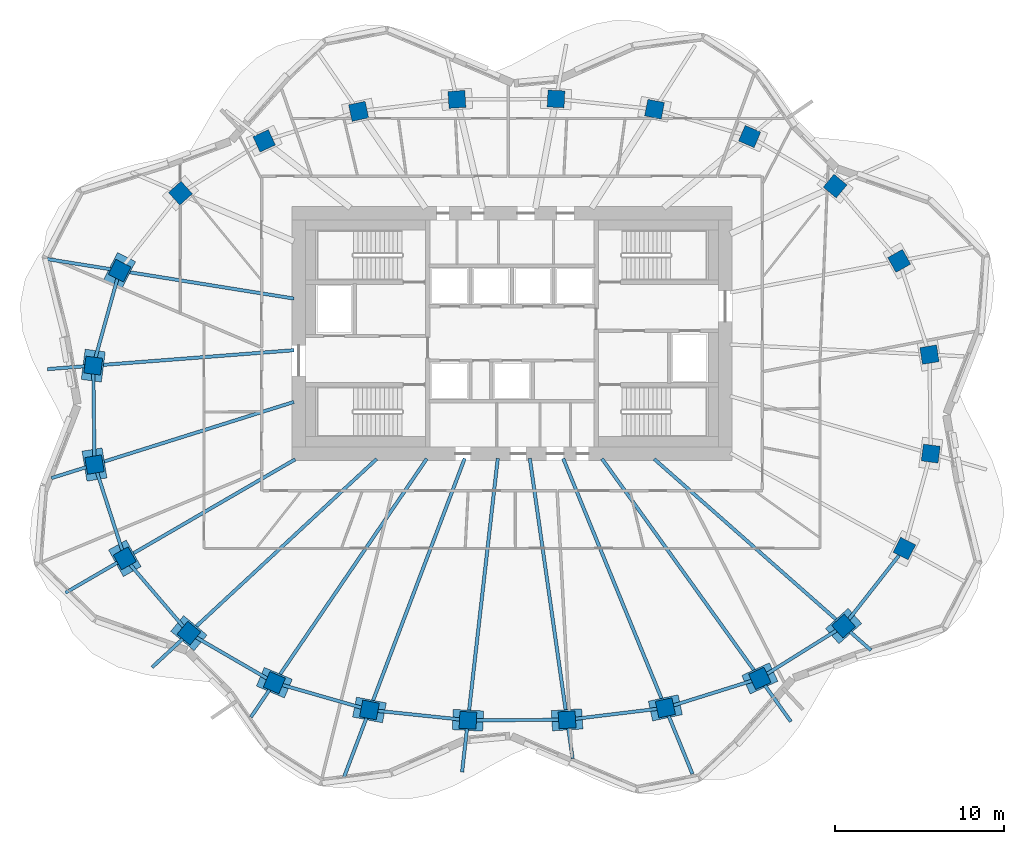
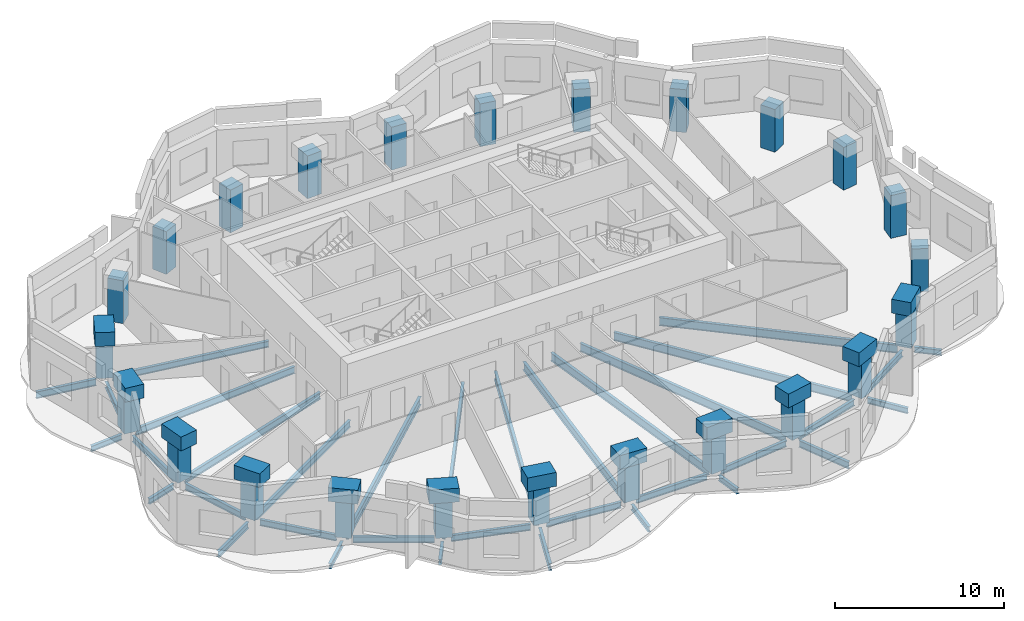
# One storey, part 1 of 11: 48 beams, 24 columns.
"""IFC4 building model written with IfcOpenShell, lengths in metres."""

from ifc_helpers import new_model, si_unit, direction, frame, origin, origin_2d, place, context, subcontext, project, spatial, rectangle, i_section, extrude, material, material_profile, profile_set, type_object, element, save


model = new_model("IFC4")

# Units and contexts
model_context = context("Model", 3, precision=1e-05, world=origin(), true_north=direction((0.0, 1.0)))
body_context = subcontext(model_context, "Body", "Model", "MODEL_VIEW")
ifc_project = project(units=[si_unit("LENGTHUNIT", "METRE"), si_unit("AREAUNIT", "SQUARE_METRE"), si_unit("VOLUMEUNIT", "CUBIC_METRE"), si_unit("PLANEANGLEUNIT", "RADIAN"), si_unit("MASSUNIT", "GRAM", prefix="KILO")], contexts=[model_context])

# Site, building, storey
site_placement = place(None, origin())
site = spatial("IfcSite", under=ifc_project, at=site_placement, CompositionType="ELEMENT")
building_placement = place(site_placement, origin())
building = spatial("IfcBuilding", under=site, at=building_placement, Name="Rubra Terraces Tower", CompositionType="ELEMENT")
storey_placement = place(building_placement, frame((0.0, 0.0, 260.39990234375)))
storey = spatial("IfcBuildingStorey", under=building, at=storey_placement, Name="L64", CompositionType="ELEMENT", Elevation=260.39990234375)

# Columns
ifc_material_1 = material(Name="Concrete C50", Category="concrete")
ifc_material_profile_1 = material_profile(ifc_material_1, rectangle(XDim=1.0, YDim=1.0, at=origin_2d()), Name="RC 1000x1000")
ifc_profile_set_1 = profile_set([ifc_material_profile_1], Name="Concrete C50")
column_type = type_object("IfcColumnType", Name="RING COLUMN RC 1000x1000 C50", PredefinedType="COLUMN", material=ifc_profile_set_1)
for number, where, z_axis, x_axis, name in (
    (1, (24.6689453125, 3.248046875, 0.0), (0.0, 0.0, 1.0), (-0.161559167715, 0.986863027642, 0.0), "column-L64-ring-01"),
    (2, (22.87890625, 8.787109375, 0.0), (0.0, 0.0, 1.0), (-0.48852601316, 0.872549330678, 0.0), "column-L64-ring-02"),
    (3, (19.092041015625, 13.208984375, 0.0), (0.0, 0.0, 1.0), (-0.76886986222, 0.63940529789, 0.0), "column-L64-ring-03"),
    (4, (14.0419921875, 16.135986328125, 0.0), (0.0, 0.0, 1.0), (-0.920167856842, 0.391524092789, 0.0), "column-L64-ring-04"),
    (5, (8.422119140625, 17.7490234375, 0.0), (0.0, 0.0, 1.0), (-0.981654668733, 0.19066754143, 0.0), "column-L64-ring-05"),
    (6, (2.60205078125, 18.35791015625, 0.0), (0.0, 0.0, 1.0), (-0.998764256028, 0.049698700995, 0.0), "column-L64-ring-06"),
    (7, (-3.25390625, 18.330078125, 0.0), (0.0, 0.0, 1.0), (-0.998031548759, -0.062713855578, 0.0), "column-L64-ring-07"),
    (8, (-9.06298828125, 17.625, 0.0), (0.0, 0.0, 1.0), (-0.977652674797, -0.210226657352, 0.0), "column-L64-ring-08"),
    (9, (-14.64306640625, 15.881103515625, 0.0), (0.0, 0.0, 1.0), (-0.908778580451, -0.417278673927, 0.0), "column-L64-ring-09"),
    (10, (-19.593017578125, 12.7900390625, 0.0), (0.0, 0.0, 1.0), (-0.744021317198, -0.668155879683, 0.0), "column-L64-ring-10"),
    (11, (-23.18505859375, 8.2099609375, 0.0), (0.0, 0.0, 1.0), (-0.451027931402, -0.892509834733, 0.0), "column-L64-ring-11"),
    (12, (-24.742919921875, 2.59912109375, 0.0), (0.0, 0.0, 1.0), (-0.128443684554, -0.991716804283, 0.0), "column-L64-ring-12"),
    (13, (-24.6689453125, -3.248046875, 0.0), (0.0, 0.0, 1.0), (0.161559167715, -0.986863027642, 0.0), "column-L64-ring-13"),
    (14, (-22.87890625, -8.787109375, 0.0), (0.0, 0.0, 1.0), (0.48852601316, -0.872549330678, 0.0), "column-L64-ring-14"),
    (15, (-19.092041015625, -13.208984375, 0.0), (0.0, 0.0, 1.0), (0.76886986222, -0.63940529789, 0.0), "column-L64-ring-15"),
    (16, (-14.0419921875, -16.135986328125, 0.0), (0.0, 0.0, 1.0), (0.920167856842, -0.391524092789, 0.0), "column-L64-ring-16"),
    (17, (-8.422119140625, -17.7490234375, 0.0), (0.0, 0.0, 1.0), (0.981654668733, -0.19066754143, 0.0), "column-L64-ring-17"),
    (18, (-2.60205078125, -18.35791015625, 0.0), (0.0, 0.0, 1.0), (0.998764256028, -0.049698700995, 0.0), "column-L64-ring-18"),
    (19, (3.25390625, -18.330078125, 0.0), (0.0, 0.0, 1.0), (0.998031548759, 0.062713855578, 0.0), "column-L64-ring-19"),
    (20, (9.06298828125, -17.625, 0.0), (0.0, 0.0, 1.0), (0.977652674797, 0.210226657352, 0.0), "column-L64-ring-20"),
    (21, (14.64306640625, -15.881103515625, 0.0), (0.0, 0.0, 1.0), (0.908778580451, 0.417278673927, 0.0), "column-L64-ring-21"),
    (22, (19.593017578125, -12.7900390625, 0.0), (0.0, 0.0, 1.0), (0.744021317198, 0.668155879683, 0.0), "column-L64-ring-22"),
    (23, (23.18505859375, -8.2099609375, 0.0), (0.0, 0.0, 1.0), (0.451027931402, 0.892509834733, 0.0), "column-L64-ring-23"),
    (24, (24.742919921875, -2.59912109375, 0.0), (0.0, 0.0, 1.0), (0.128443684554, 0.991716804283, 0.0), "column-L64-ring-24"),
):
    element("IfcColumn", number, at=place(storey_placement, frame(where, z_axis=z_axis, x_axis=x_axis)), inside=storey, type_object=column_type, Name=name, PredefinedType="COLUMN", context=body_context, shape_type="SweptSolid", body=[
        extrude(rectangle(XDim=1.0, YDim=1.0, at=origin_2d()), origin(), (0.0, 0.0, 1.0), 3.10009765625),
    ])

# Beams
ifc_material_2 = material(Name="Steel Q355B", Category="steel")
ifc_material_profile_2 = material_profile(ifc_material_2, i_section(OverallWidth=0.199951171875, OverallDepth=0.39990234375, WebThickness=0.008056640625, FlangeThickness=0.012939453125, at=origin_2d()), Name="HN 400x200x8x13")
ifc_profile_set_2 = profile_set([ifc_material_profile_2], Name="Steel Q355B")
beam_type_1 = type_object("IfcBeamType", Name="CANTILEVER BEAM HN 400x200x8x13", PredefinedType="BEAM", material=ifc_profile_set_2)
beam_1_placement = place(storey_placement, frame((-25.251953125, 2.56005859375, -0.39990234375), z_axis=(-0.997072655985, -0.076459915552, 0.0), x_axis=(0.076459915552, -0.997072655985, 0.0)))
element("IfcBeam", 25, at=beam_1_placement, inside=storey, type_object=beam_type_1, Name="beam-L64-cant-12", PredefinedType="BEAM", context=body_context, shape_type="SweptSolid", body=[
    extrude(i_section(OverallWidth=0.199951171875, OverallDepth=0.39990234375, WebThickness=0.008056640625, FlangeThickness=0.012939453125, at=origin_2d()), origin(), (0.0, 0.0, 1.0), 2.20947265625),
])
beam_2_placement = place(storey_placement, frame((-25.15087890625, -3.39892578125, -0.39990234375), z_axis=(-0.953976176962, -0.299882399933, 0.0), x_axis=(0.299882399933, -0.953976176962, 0.0)))
element("IfcBeam", 26, at=beam_2_placement, inside=storey, type_object=beam_type_1, Name="beam-L64-cant-13", PredefinedType="BEAM", context=body_context, shape_type="SweptSolid", body=[
    extrude(i_section(OverallWidth=0.199951171875, OverallDepth=0.39990234375, WebThickness=0.008056640625, FlangeThickness=0.012939453125, at=origin_2d()), origin(), (0.0, 0.0, 1.0), 2.161376953125),
])
beam_3_placement = place(storey_placement, frame((-19.4619140625, -13.552001953125, -0.39990234375), z_axis=(-0.733131141313, -0.6800872956, 0.0), x_axis=(0.6800872956, -0.733131141313, 0.0)))
element("IfcBeam", 27, at=beam_3_placement, inside=storey, type_object=beam_type_1, Name="beam-L64-cant-15", PredefinedType="BEAM", context=body_context, shape_type="SweptSolid", body=[
    extrude(i_section(OverallWidth=0.199951171875, OverallDepth=0.39990234375, WebThickness=0.008056640625, FlangeThickness=0.012939453125, at=origin_2d()), origin(), (0.0, 0.0, 1.0), 2.4716796875),
])
beam_4_placement = place(storey_placement, frame((-14.3291015625, -16.556884765625, -0.39990234375), z_axis=(-0.562330561229, -0.826912534618, 0.0), x_axis=(0.826912534618, -0.562330561229, 0.0)))
element("IfcBeam", 28, at=beam_4_placement, inside=storey, type_object=beam_type_1, Name="beam-L64-cant-16", PredefinedType="BEAM", context=body_context, shape_type="SweptSolid", body=[
    extrude(i_section(OverallWidth=0.199951171875, OverallDepth=0.39990234375, WebThickness=0.008056640625, FlangeThickness=0.012939453125, at=origin_2d()), origin(), (0.0, 0.0, 1.0), 1.95068359375),
])
beam_5_placement = place(storey_placement, frame((-2.658935546875, -18.85595703125, -0.39990234375), z_axis=(-0.11286294962, -0.993610564861, 0.0), x_axis=(0.993610564861, -0.11286294962, 0.0)))
element("IfcBeam", 29, at=beam_5_placement, inside=storey, type_object=beam_type_1, Name="beam-L64-cant-18", PredefinedType="BEAM", context=body_context, shape_type="SweptSolid", body=[
    extrude(i_section(OverallWidth=0.199951171875, OverallDepth=0.39990234375, WebThickness=0.008056640625, FlangeThickness=0.012939453125, at=origin_2d()), origin(), (0.0, 0.0, 1.0), 2.578369140625),
])
beam_6_placement = place(storey_placement, frame((3.324951171875, -18.826904296875, -0.39990234375), z_axis=(0.141308200987, -0.989965652098, 0.0), x_axis=(0.989965652098, 0.141308200987, 0.0)))
element("IfcBeam", 30, at=beam_6_placement, inside=storey, type_object=beam_type_1, Name="beam-L64-cant-19", PredefinedType="BEAM", context=body_context, shape_type="SweptSolid", body=[
    extrude(i_section(OverallWidth=0.199951171875, OverallDepth=0.39990234375, WebThickness=0.008056640625, FlangeThickness=0.012939453125, at=origin_2d()), origin(), (0.0, 0.0, 1.0), 1.812255859375),
])
beam_7_placement = place(storey_placement, frame((14.93994140625, -16.294921875, -0.39990234375), z_axis=(0.583708638616, -0.811963192026, 0.0), x_axis=(0.811963192026, 0.583708638616, 0.0)))
element("IfcBeam", 31, at=beam_7_placement, inside=storey, type_object=beam_type_1, Name="beam-L64-cant-21", PredefinedType="BEAM", context=body_context, shape_type="SweptSolid", body=[
    extrude(i_section(OverallWidth=0.199951171875, OverallDepth=0.39990234375, WebThickness=0.008056640625, FlangeThickness=0.012939453125, at=origin_2d()), origin(), (0.0, 0.0, 1.0), 2.63330078125),
])
beam_8_placement = place(storey_placement, frame((19.969970703125, -13.123046875, -0.39990234375), z_axis=(0.749803442834, -0.661660635911, 0.0), x_axis=(0.661660635911, 0.749803442834, 0.0)))
element("IfcBeam", 32, at=beam_8_placement, inside=storey, type_object=beam_type_1, Name="beam-L64-cant-22", PredefinedType="BEAM", context=body_context, shape_type="SweptSolid", body=[
    extrude(i_section(OverallWidth=0.199951171875, OverallDepth=0.39990234375, WebThickness=0.008056640625, FlangeThickness=0.012939453125, at=origin_2d()), origin(), (0.0, 0.0, 1.0), 1.65625),
])
ifc_material_profile_3 = material_profile(ifc_material_2, i_section(OverallWidth=0.198974609375, OverallDepth=0.446044921875, WebThickness=0.008056640625, FlangeThickness=0.011962890625, at=origin_2d()), Name="HN 446x199x8x12")
ifc_profile_set_3 = profile_set([ifc_material_profile_3], Name="Steel Q355B")
beam_type_2 = type_object("IfcBeamType", Name="CANTILEVER BEAM HN 446x199x8x12", PredefinedType="BEAM", material=ifc_profile_set_3)
beam_9_placement = place(storey_placement, frame((-23.31103515625, -9.0380859375, -0.4228515625), z_axis=(-0.864736046466, -0.50222661214, 0.0), x_axis=(0.50222661214, -0.864736046466, 0.0)))
element("IfcBeam", 33, at=beam_9_placement, inside=storey, type_object=beam_type_2, Name="beam-L64-cant-14", PredefinedType="BEAM", context=body_context, shape_type="SweptSolid", body=[
    extrude(i_section(OverallWidth=0.198974609375, OverallDepth=0.446044921875, WebThickness=0.008056640625, FlangeThickness=0.011962890625, at=origin_2d()), origin(), (0.0, 0.0, 1.0), 3.555908203125),
])
ifc_material_profile_4 = material_profile(ifc_material_2, i_section(OverallWidth=0.198974609375, OverallDepth=0.49609375, WebThickness=0.009033203125, FlangeThickness=0.013916015625, at=origin_2d()), Name="HN 496x199x9x14")
ifc_profile_set_4 = profile_set([ifc_material_profile_4], Name="Steel Q355B")
beam_type_3 = type_object("IfcBeamType", Name="CANTILEVER BEAM HN 496x199x9x14", PredefinedType="BEAM", material=ifc_profile_set_4)
beam_10_placement = place(storey_placement, frame((-23.702880859375, 8.29296875, -0.447998046875), z_axis=(-0.98745581053, 0.157895605548, 0.0), x_axis=(-0.157895605548, -0.98745581053, 0.0)))
element("IfcBeam", 34, at=beam_10_placement, inside=storey, type_object=beam_type_3, Name="beam-L64-cant-11", PredefinedType="BEAM", context=body_context, shape_type="SweptSolid", body=[
    extrude(i_section(OverallWidth=0.198974609375, OverallDepth=0.49609375, WebThickness=0.009033203125, FlangeThickness=0.013916015625, at=origin_2d()), origin(), (0.0, 0.0, 1.0), 3.81298828125),
])
beam_11_placement = place(storey_placement, frame((-8.60205078125, -18.222900390625, -0.447998046875), z_axis=(-0.353975284334, -0.935254777096, 0.0), x_axis=(0.935254777096, -0.353975284334, 0.0)))
element("IfcBeam", 35, at=beam_11_placement, inside=storey, type_object=beam_type_3, Name="beam-L64-cant-17", PredefinedType="BEAM", context=body_context, shape_type="SweptSolid", body=[
    extrude(i_section(OverallWidth=0.198974609375, OverallDepth=0.49609375, WebThickness=0.009033203125, FlangeThickness=0.013916015625, at=origin_2d()), origin(), (0.0, 0.0, 1.0), 3.816162109375),
])
beam_12_placement = place(storey_placement, frame((9.256103515625, -18.094970703125, -0.447998046875), z_axis=(0.378876573118, -0.925447212078, 0.0), x_axis=(0.925447212078, 0.378876573118, 0.0)))
element("IfcBeam", 36, at=beam_12_placement, inside=storey, type_object=beam_type_3, Name="beam-L64-cant-20", PredefinedType="BEAM", context=body_context, shape_type="SweptSolid", body=[
    extrude(i_section(OverallWidth=0.198974609375, OverallDepth=0.49609375, WebThickness=0.009033203125, FlangeThickness=0.013916015625, at=origin_2d()), origin(), (0.0, 0.0, 1.0), 3.705078125),
])
ifc_material_profile_5 = material_profile(ifc_material_2, i_section(OverallWidth=0.198974609375, OverallDepth=0.446044921875, WebThickness=0.008056640625, FlangeThickness=0.011962890625, at=origin_2d()), Name="HN 446x199x8x12")
ifc_profile_set_5 = profile_set([ifc_material_profile_5], Name="Steel Q355B")
beam_type_4 = type_object("IfcBeamType", Name="FLOOR BEAM HN 446x199x8x12", PredefinedType="BEAM", material=ifc_profile_set_5)
beam_13_placement = place(storey_placement, frame((-22.6669921875, 8.126953125, -0.4228515625), z_axis=(0.987435404133, -0.158023171289, 0.0), x_axis=(0.158023171289, 0.987435404133, 0.0)))
element("IfcBeam", 37, at=beam_13_placement, inside=storey, type_object=beam_type_4, Name="beam-L64-floor-11", PredefinedType="BEAM", context=body_context, shape_type="SweptSolid", body=[
    extrude(i_section(OverallWidth=0.198974609375, OverallDepth=0.446044921875, WebThickness=0.008056640625, FlangeThickness=0.011962890625, at=origin_2d()), origin(), (0.0, 0.0, 1.0), 9.909423828125),
])
ifc_material_profile_6 = material_profile(ifc_material_2, i_section(OverallWidth=0.198974609375, OverallDepth=0.49609375, WebThickness=0.009033203125, FlangeThickness=0.013916015625, at=origin_2d()), Name="HN 496x199x9x14")
ifc_profile_set_6 = profile_set([ifc_material_profile_6], Name="Steel Q355B")
beam_type_5 = type_object("IfcBeamType", Name="FLOOR BEAM HN 496x199x9x14", PredefinedType="BEAM", material=ifc_profile_set_6)
beam_14_placement = place(storey_placement, frame((-24.23388671875, 2.637939453125, -0.447998046875), z_axis=(0.997063306908, 0.076581734234, 0.0), x_axis=(-0.076581734234, 0.997063306908, 0.0)))
element("IfcBeam", 38, at=beam_14_placement, inside=storey, type_object=beam_type_5, Name="beam-L64-floor-12", PredefinedType="BEAM", context=body_context, shape_type="SweptSolid", body=[
    extrude(i_section(OverallWidth=0.198974609375, OverallDepth=0.49609375, WebThickness=0.009033203125, FlangeThickness=0.013916015625, at=origin_2d()), origin(), (0.0, 0.0, 1.0), 11.387451171875),
])
beam_15_placement = place(storey_placement, frame((-24.18701171875, -3.096923828125, -0.447998046875), z_axis=(0.954040699023, 0.299677067204, 0.0), x_axis=(-0.299677067204, 0.954040699023, 0.0)))
element("IfcBeam", 39, at=beam_15_placement, inside=storey, type_object=beam_type_5, Name="beam-L64-floor-13", PredefinedType="BEAM", context=body_context, shape_type="SweptSolid", body=[
    extrude(i_section(OverallWidth=0.198974609375, OverallDepth=0.49609375, WebThickness=0.009033203125, FlangeThickness=0.013916015625, at=origin_2d()), origin(), (0.0, 0.0, 1.0), 11.845458984375),
])
beam_16_placement = place(storey_placement, frame((-22.447021484375, -8.535888671875, -0.447998046875), z_axis=(0.864755491844, 0.502193129508, 0.0), x_axis=(-0.502193129508, 0.864755491844, 0.0)))
element("IfcBeam", 40, at=beam_16_placement, inside=storey, type_object=beam_type_5, Name="beam-L64-floor-14", PredefinedType="BEAM", context=body_context, shape_type="SweptSolid", body=[
    extrude(i_section(OverallWidth=0.198974609375, OverallDepth=0.49609375, WebThickness=0.009033203125, FlangeThickness=0.013916015625, at=origin_2d()), origin(), (0.0, 0.0, 1.0), 11.14306640625),
])
ifc_material_profile_7 = material_profile(ifc_material_2, i_section(OverallWidth=0.198974609375, OverallDepth=0.595947265625, WebThickness=0.010009765625, FlangeThickness=0.014892578125, at=origin_2d()), Name="HN 596x199x10x15")
ifc_profile_set_7 = profile_set([ifc_material_profile_7], Name="Steel Q355B")
beam_type_6 = type_object("IfcBeamType", Name="FLOOR BEAM HN 596x199x10x15", PredefinedType="BEAM", material=ifc_profile_set_7)
beam_17_placement = place(storey_placement, frame((-18.721923828125, -12.865966796875, -0.497802734375), z_axis=(0.733130458484, 0.680088031687, 0.0), x_axis=(-0.680088031687, 0.733130458484, 0.0)))
element("IfcBeam", 41, at=beam_17_placement, inside=storey, type_object=beam_type_6, Name="beam-L64-floor-15", PredefinedType="BEAM", context=body_context, shape_type="SweptSolid", body=[
    extrude(i_section(OverallWidth=0.198974609375, OverallDepth=0.595947265625, WebThickness=0.010009765625, FlangeThickness=0.014892578125, at=origin_2d()), origin(), (0.0, 0.0, 1.0), 14.62744140625),
])
beam_18_placement = place(storey_placement, frame((-13.7548828125, -15.715087890625, -0.497802734375), z_axis=(0.562545242124, 0.826766503049, 0.0), x_axis=(-0.826766503049, 0.562545242124, 0.0)))
element("IfcBeam", 42, at=beam_18_placement, inside=storey, type_object=beam_type_6, Name="beam-L64-floor-16", PredefinedType="BEAM", context=body_context, shape_type="SweptSolid", body=[
    extrude(i_section(OverallWidth=0.198974609375, OverallDepth=0.595947265625, WebThickness=0.010009765625, FlangeThickness=0.014892578125, at=origin_2d()), origin(), (0.0, 0.0, 1.0), 15.499267578125),
])
beam_19_placement = place(storey_placement, frame((-8.241943359375, -17.27490234375, -0.497802734375), z_axis=(0.353955134415, 0.93526240319, 0.0), x_axis=(-0.93526240319, 0.353955134415, 0.0)))
element("IfcBeam", 43, at=beam_19_placement, inside=storey, type_object=beam_type_6, Name="beam-L64-floor-17", PredefinedType="BEAM", context=body_context, shape_type="SweptSolid", body=[
    extrude(i_section(OverallWidth=0.198974609375, OverallDepth=0.595947265625, WebThickness=0.010009765625, FlangeThickness=0.014892578125, at=origin_2d()), origin(), (0.0, 0.0, 1.0), 15.3828125),
])
beam_20_placement = place(storey_placement, frame((-2.544921875, -17.860107421875, -0.497802734375), z_axis=(0.113084825914, 0.993585337124, 0.0), x_axis=(-0.993585337124, 0.113084825914, 0.0)))
element("IfcBeam", 44, at=beam_20_placement, inside=storey, type_object=beam_type_6, Name="beam-L64-floor-18", PredefinedType="BEAM", context=body_context, shape_type="SweptSolid", body=[
    extrude(i_section(OverallWidth=0.198974609375, OverallDepth=0.595947265625, WebThickness=0.010009765625, FlangeThickness=0.014892578125, at=origin_2d()), origin(), (0.0, 0.0, 1.0), 15.07568359375),
])
beam_21_placement = place(storey_placement, frame((3.18310546875, -17.8330078125, -0.497802734375), z_axis=(-0.141104514479, 0.989994705033, 0.0), x_axis=(-0.989994705033, -0.141104514479, 0.0)))
element("IfcBeam", 45, at=beam_21_placement, inside=storey, type_object=beam_type_6, Name="beam-L64-floor-19", PredefinedType="BEAM", context=body_context, shape_type="SweptSolid", body=[
    extrude(i_section(OverallWidth=0.198974609375, OverallDepth=0.595947265625, WebThickness=0.010009765625, FlangeThickness=0.014892578125, at=origin_2d()), origin(), (0.0, 0.0, 1.0), 15.10302734375),
])
beam_22_placement = place(storey_placement, frame((8.8701171875, -17.155029296875, -0.497802734375), z_axis=(-0.379015131933, 0.925390474214, 0.0), x_axis=(-0.925390474214, -0.379015131933, 0.0)))
element("IfcBeam", 46, at=beam_22_placement, inside=storey, type_object=beam_type_6, Name="beam-L64-floor-20", PredefinedType="BEAM", context=body_context, shape_type="SweptSolid", body=[
    extrude(i_section(OverallWidth=0.198974609375, OverallDepth=0.595947265625, WebThickness=0.010009765625, FlangeThickness=0.014892578125, at=origin_2d()), origin(), (0.0, 0.0, 1.0), 15.416259765625),
])
beam_23_placement = place(storey_placement, frame((14.345947265625, -15.467041015625, -0.497802734375), z_axis=(-0.583528740197, 0.812092488183, 0.0), x_axis=(-0.812092488183, -0.583528740197, 0.0)))
element("IfcBeam", 47, at=beam_23_placement, inside=storey, type_object=beam_type_6, Name="beam-L64-floor-21", PredefinedType="BEAM", context=body_context, shape_type="SweptSolid", body=[
    extrude(i_section(OverallWidth=0.198974609375, OverallDepth=0.595947265625, WebThickness=0.010009765625, FlangeThickness=0.014892578125, at=origin_2d()), origin(), (0.0, 0.0, 1.0), 15.47119140625),
])
beam_24_placement = place(storey_placement, frame((19.216064453125, -12.45703125, -0.497802734375), z_axis=(-0.749823025288, 0.661638444128, 0.0), x_axis=(-0.661638444128, -0.749823025288, 0.0)))
element("IfcBeam", 48, at=beam_24_placement, inside=storey, type_object=beam_type_6, Name="beam-L64-floor-22", PredefinedType="BEAM", context=body_context, shape_type="SweptSolid", body=[
    extrude(i_section(OverallWidth=0.198974609375, OverallDepth=0.595947265625, WebThickness=0.010009765625, FlangeThickness=0.014892578125, at=origin_2d()), origin(), (0.0, 0.0, 1.0), 14.412841796875),
])
ifc_material_profile_8 = material_profile(ifc_material_2, i_section(OverallWidth=0.198974609375, OverallDepth=0.446044921875, WebThickness=0.008056640625, FlangeThickness=0.011962890625, at=origin_2d()), Name="HN 446x199x8x12")
ifc_profile_set_8 = profile_set([ifc_material_profile_8], Name="Steel Q355B")
beam_type_7 = type_object("IfcBeamType", Name="SPANDREL BEAM HN 446x199x8x12", PredefinedType="SPANDREL", material=ifc_profile_set_8)
beam_25_placement = place(storey_placement, frame((-23.321044921875, 7.718994140625, -0.4228515625), z_axis=(-0.267625533012, -0.963523001324, 0.0), x_axis=(0.963523001324, -0.267625533012, 0.0)))
element("IfcBeam", 49, at=beam_25_placement, inside=storey, type_object=beam_type_7, Name="beam-L64-spandrel-11", PredefinedType="SPANDREL", context=body_context, shape_type="SweptSolid", body=[
    extrude(i_section(OverallWidth=0.198974609375, OverallDepth=0.446044921875, WebThickness=0.008056640625, FlangeThickness=0.011962890625, at=origin_2d()), origin(), (0.0, 0.0, 1.0), 4.808349609375),
])
beam_26_placement = place(storey_placement, frame((-24.737060546875, 2.093994140625, -0.4228515625), z_axis=(0.012822047643, -0.999917794168, 0.0), x_axis=(0.999917794168, 0.012822047643, 0.0)))
element("IfcBeam", 50, at=beam_26_placement, inside=storey, type_object=beam_type_7, Name="beam-L64-spandrel-12", PredefinedType="SPANDREL", context=body_context, shape_type="SweptSolid", body=[
    extrude(i_section(OverallWidth=0.198974609375, OverallDepth=0.446044921875, WebThickness=0.008056640625, FlangeThickness=0.011962890625, at=origin_2d()), origin(), (0.0, 0.0, 1.0), 4.83642578125),
])
beam_27_placement = place(storey_placement, frame((-24.512939453125, -3.72900390625, -0.4228515625), z_axis=(0.307359002872, -0.951593633519, 0.0), x_axis=(0.951593633519, 0.307359002872, 0.0)))
element("IfcBeam", 51, at=beam_27_placement, inside=storey, type_object=beam_type_7, Name="beam-L64-spandrel-13", PredefinedType="SPANDREL", context=body_context, shape_type="SweptSolid", body=[
    extrude(i_section(OverallWidth=0.198974609375, OverallDepth=0.446044921875, WebThickness=0.008056640625, FlangeThickness=0.011962890625, at=origin_2d()), origin(), (0.0, 0.0, 1.0), 4.8056640625),
])
beam_28_placement = place(storey_placement, frame((-22.547119140625, -9.174072265625, -0.4228515625), z_axis=(0.650372836218, -0.759615148552, 0.0), x_axis=(0.759615148552, 0.650372836218, 0.0)))
element("IfcBeam", 52, at=beam_28_placement, inside=storey, type_object=beam_type_7, Name="beam-L64-spandrel-14", PredefinedType="SPANDREL", context=body_context, shape_type="SweptSolid", body=[
    extrude(i_section(OverallWidth=0.198974609375, OverallDepth=0.446044921875, WebThickness=0.008056640625, FlangeThickness=0.011962890625, at=origin_2d()), origin(), (0.0, 0.0, 1.0), 4.804931640625),
])
beam_29_placement = place(storey_placement, frame((-18.653076171875, -13.462890625, -0.4228515625), z_axis=(0.865153680787, -0.501506838059, 0.0), x_axis=(0.501506838059, 0.865153680787, 0.0)))
element("IfcBeam", 53, at=beam_29_placement, inside=storey, type_object=beam_type_7, Name="beam-L64-spandrel-15", PredefinedType="SPANDREL", context=body_context, shape_type="SweptSolid", body=[
    extrude(i_section(OverallWidth=0.198974609375, OverallDepth=0.446044921875, WebThickness=0.008056640625, FlangeThickness=0.011962890625, at=origin_2d()), origin(), (0.0, 0.0, 1.0), 4.82568359375),
])
beam_30_placement = place(storey_placement, frame((-13.55810546875, -16.27490234375, -0.4228515625), z_axis=(0.961171164323, -0.275952881621, 0.0), x_axis=(0.275952881621, 0.961171164323, 0.0)))
element("IfcBeam", 54, at=beam_30_placement, inside=storey, type_object=beam_type_7, Name="beam-L64-spandrel-16", PredefinedType="SPANDREL", context=body_context, shape_type="SweptSolid", body=[
    extrude(i_section(OverallWidth=0.198974609375, OverallDepth=0.446044921875, WebThickness=0.008056640625, FlangeThickness=0.011962890625, at=origin_2d()), origin(), (0.0, 0.0, 1.0), 4.842041015625),
])
beam_31_placement = place(storey_placement, frame((-7.923095703125, -17.801025390625, -0.4228515625), z_axis=(0.994565426955, -0.104113454971, 0.0), x_axis=(0.104113454971, 0.994565426955, 0.0)))
element("IfcBeam", 55, at=beam_31_placement, inside=storey, type_object=beam_type_7, Name="beam-L64-spandrel-17", PredefinedType="SPANDREL", context=body_context, shape_type="SweptSolid", body=[
    extrude(i_section(OverallWidth=0.198974609375, OverallDepth=0.446044921875, WebThickness=0.008056640625, FlangeThickness=0.011962890625, at=origin_2d()), origin(), (0.0, 0.0, 1.0), 4.849365234375),
])
beam_32_placement = place(storey_placement, frame((-2.10107421875, -18.35595703125, -0.4228515625), z_axis=(0.999987852299, 0.004929021704, 0.0), x_axis=(-0.004929021704, 0.999987852299, 0.0)))
element("IfcBeam", 56, at=beam_32_placement, inside=storey, type_object=beam_type_7, Name="beam-L64-spandrel-18", PredefinedType="SPANDREL", context=body_context, shape_type="SweptSolid", body=[
    extrude(i_section(OverallWidth=0.198974609375, OverallDepth=0.446044921875, WebThickness=0.008056640625, FlangeThickness=0.011962890625, at=origin_2d()), origin(), (0.0, 0.0, 1.0), 4.85400390625),
])
beam_33_placement = place(storey_placement, frame((3.7509765625, -18.27001953125, -0.4228515625), z_axis=(0.992698018573, 0.120626049929, 0.0), x_axis=(-0.120626049929, 0.992698018573, 0.0)))
element("IfcBeam", 57, at=beam_33_placement, inside=storey, type_object=beam_type_7, Name="beam-L64-spandrel-19", PredefinedType="SPANDREL", context=body_context, shape_type="SweptSolid", body=[
    extrude(i_section(OverallWidth=0.198974609375, OverallDepth=0.446044921875, WebThickness=0.008056640625, FlangeThickness=0.011962890625, at=origin_2d()), origin(), (0.0, 0.0, 1.0), 4.849365234375),
])
beam_34_placement = place(storey_placement, frame((9.5419921875, -17.47509765625, -0.4228515625), z_axis=(0.954462027342, 0.298332429282, 0.0), x_axis=(-0.298332429282, 0.954462027342, 0.0)))
element("IfcBeam", 58, at=beam_34_placement, inside=storey, type_object=beam_type_7, Name="beam-L64-spandrel-20", PredefinedType="SPANDREL", context=body_context, shape_type="SweptSolid", body=[
    extrude(i_section(OverallWidth=0.198974609375, OverallDepth=0.446044921875, WebThickness=0.008056640625, FlangeThickness=0.011962890625, at=origin_2d()), origin(), (0.0, 0.0, 1.0), 4.840576171875),
])
beam_35_placement = place(storey_placement, frame((15.071044921875, -15.614013671875, -0.4228515625), z_axis=(0.848183088492, 0.529703170083, 0.0), x_axis=(-0.529703170083, 0.848183088492, 0.0)))
element("IfcBeam", 59, at=beam_35_placement, inside=storey, type_object=beam_type_7, Name="beam-L64-spandrel-21", PredefinedType="SPANDREL", context=body_context, shape_type="SweptSolid", body=[
    extrude(i_section(OverallWidth=0.198974609375, OverallDepth=0.446044921875, WebThickness=0.008056640625, FlangeThickness=0.011962890625, at=origin_2d()), origin(), (0.0, 0.0, 1.0), 4.8232421875),
])
beam_36_placement = place(storey_placement, frame((19.906005859375, -12.39111328125, -0.4228515625), z_axis=(0.617060338015, 0.786915840004, 0.0), x_axis=(-0.786915840004, 0.617060338015, 0.0)))
element("IfcBeam", 60, at=beam_36_placement, inside=storey, type_object=beam_type_7, Name="beam-L64-spandrel-22", PredefinedType="SPANDREL", context=body_context, shape_type="SweptSolid", body=[
    extrude(i_section(OverallWidth=0.198974609375, OverallDepth=0.446044921875, WebThickness=0.008056640625, FlangeThickness=0.011962890625, at=origin_2d()), origin(), (0.0, 0.0, 1.0), 4.8037109375),
])
ifc_material_profile_9 = material_profile(ifc_material_1, rectangle(XDim=1.199951171875, YDim=1.0, at=origin_2d()), Name="RC 1200x1000")
ifc_profile_set_9 = profile_set([ifc_material_profile_9], Name="Concrete C50")
beam_type_8 = type_object("IfcBeamType", Name="TRANSFER NODE RC 1200x1000 C50", PredefinedType="BEAM", material=ifc_profile_set_9)
beam_37_placement = place(storey_placement, frame((-22.779052734375, 9.012939453125, 3.10009765625), z_axis=(-0.45122479892, -0.892410320895, 0.0), x_axis=(0.892410320895, -0.45122479892, 0.0)))
element("IfcBeam", 61, at=beam_37_placement, inside=storey, type_object=beam_type_8, Name="node-L65-lo-11", PredefinedType="BEAM", context=body_context, shape_type="SweptSolid", body=[
    extrude(rectangle(XDim=1.199951171875, YDim=1.0, at=origin_2d()), origin(), (0.0, 0.0, 1.0), 1.799560546875),
])
beam_38_placement = place(storey_placement, frame((-24.626953125, 3.491943359375, 3.10009765625), z_axis=(-0.128788580977, -0.991672073525, 0.0), x_axis=(0.991672073525, -0.128788580977, 0.0)))
element("IfcBeam", 62, at=beam_38_placement, inside=storey, type_object=beam_type_8, Name="node-L65-lo-12", PredefinedType="BEAM", context=body_context, shape_type="SweptSolid", body=[
    extrude(rectangle(XDim=1.199951171875, YDim=1.0, at=origin_2d()), origin(), (0.0, 0.0, 1.0), 1.80078125),
])
beam_39_placement = place(storey_placement, frame((-24.81396484375, -2.360107421875, 3.10009765625), z_axis=(0.161185839737, -0.986924072595, 0.0), x_axis=(0.986924072595, 0.161185839737, 0.0)))
element("IfcBeam", 63, at=beam_39_placement, inside=storey, type_object=beam_type_8, Name="node-L65-lo-13", PredefinedType="BEAM", context=body_context, shape_type="SweptSolid", body=[
    extrude(rectangle(XDim=1.199951171875, YDim=1.0, at=origin_2d()), origin(), (0.0, 0.0, 1.0), 1.79931640625),
])
beam_40_placement = place(storey_placement, frame((-23.319091796875, -8.001953125, 3.10009765625), z_axis=(0.488979181203, -0.872295454734, 0.0), x_axis=(0.872295454734, 0.488979181203, 0.0)))
element("IfcBeam", 64, at=beam_40_placement, inside=storey, type_object=beam_type_8, Name="node-L65-lo-14", PredefinedType="BEAM", context=body_context, shape_type="SweptSolid", body=[
    extrude(rectangle(XDim=1.199951171875, YDim=1.0, at=origin_2d()), origin(), (0.0, 0.0, 1.0), 1.800048828125),
])
beam_41_placement = place(storey_placement, frame((-19.783935546875, -12.634033203125, 3.10009765625), z_axis=(0.769165748433, -0.639049334119, 0.0), x_axis=(0.639049334119, 0.769165748433, 0.0)))
element("IfcBeam", 65, at=beam_41_placement, inside=storey, type_object=beam_type_8, Name="node-L65-lo-15", PredefinedType="BEAM", context=body_context, shape_type="SweptSolid", body=[
    extrude(rectangle(XDim=1.199951171875, YDim=1.0, at=origin_2d()), origin(), (0.0, 0.0, 1.0), 1.79931640625),
])
beam_42_placement = place(storey_placement, frame((-14.8701171875, -15.783935546875, 3.10009765625), z_axis=(0.920271079346, -0.391281408349, 0.0), x_axis=(0.391281408349, 0.920271079346, 0.0)))
element("IfcBeam", 66, at=beam_42_placement, inside=storey, type_object=beam_type_8, Name="node-L65-lo-16", PredefinedType="BEAM", context=body_context, shape_type="SweptSolid", body=[
    extrude(rectangle(XDim=1.199951171875, YDim=1.0, at=origin_2d()), origin(), (0.0, 0.0, 1.0), 1.799560546875),
])
beam_43_placement = place(storey_placement, frame((-9.304931640625, -17.576904296875, 3.10009765625), z_axis=(0.981549648617, -0.191207445721, 0.0), x_axis=(0.191207445721, 0.981549648617, 0.0)))
element("IfcBeam", 67, at=beam_43_placement, inside=storey, type_object=beam_type_8, Name="node-L65-lo-17", PredefinedType="BEAM", context=body_context, shape_type="SweptSolid", body=[
    extrude(rectangle(XDim=1.199951171875, YDim=1.0, at=origin_2d()), origin(), (0.0, 0.0, 1.0), 1.799072265625),
])
beam_44_placement = place(storey_placement, frame((-3.5009765625, -18.31298828125, 3.10009765625), z_axis=(0.998747261135, -0.050039068481, 0.0), x_axis=(0.050039068481, 0.998747261135, 0.0)))
element("IfcBeam", 68, at=beam_44_placement, inside=storey, type_object=beam_type_8, Name="node-L65-lo-18", PredefinedType="BEAM", context=body_context, shape_type="SweptSolid", body=[
    extrude(rectangle(XDim=1.199951171875, YDim=1.0, at=origin_2d()), origin(), (0.0, 0.0, 1.0), 1.80029296875),
])
beam_45_placement = place(storey_placement, frame((2.35595703125, -18.385986328125, 3.10009765625), z_axis=(0.998059434683, 0.062268489944, 0.0), x_axis=(-0.062268489944, 0.998059434683, 0.0)))
element("IfcBeam", 69, at=beam_45_placement, inside=storey, type_object=beam_type_8, Name="node-L65-lo-19", PredefinedType="BEAM", context=body_context, shape_type="SweptSolid", body=[
    extrude(rectangle(XDim=1.199951171875, YDim=1.0, at=origin_2d()), origin(), (0.0, 0.0, 1.0), 1.799560546875),
])
beam_46_placement = place(storey_placement, frame((8.18310546875, -17.81396484375, 3.10009765625), z_axis=(0.977713011917, 0.209945865231, 0.0), x_axis=(-0.209945865231, 0.977713011917, 0.0)))
element("IfcBeam", 70, at=beam_46_placement, inside=storey, type_object=beam_type_8, Name="node-L65-lo-20", PredefinedType="BEAM", context=body_context, shape_type="SweptSolid", body=[
    extrude(rectangle(XDim=1.199951171875, YDim=1.0, at=origin_2d()), origin(), (0.0, 0.0, 1.0), 1.800048828125),
])
beam_47_placement = place(storey_placement, frame((13.824951171875, -16.257080078125, 3.10009765625), z_axis=(0.908565594754, 0.417742217197, 0.0), x_axis=(-0.417742217197, 0.908565594754, 0.0)))
element("IfcBeam", 71, at=beam_47_placement, inside=storey, type_object=beam_type_8, Name="node-L65-lo-21", PredefinedType="BEAM", context=body_context, shape_type="SweptSolid", body=[
    extrude(rectangle(XDim=1.199951171875, YDim=1.0, at=origin_2d()), origin(), (0.0, 0.0, 1.0), 1.800537109375),
])
beam_48_placement = place(storey_placement, frame((18.923095703125, -13.39111328125, 3.10009765625), z_axis=(0.744318340355, 0.667824983219, 0.0), x_axis=(-0.667824983219, 0.744318340355, 0.0)))
element("IfcBeam", 72, at=beam_48_placement, inside=storey, type_object=beam_type_8, Name="node-L65-lo-22", PredefinedType="BEAM", context=body_context, shape_type="SweptSolid", body=[
    extrude(rectangle(XDim=1.199951171875, YDim=1.0, at=origin_2d()), origin(), (0.0, 0.0, 1.0), 1.800048828125),
])

save(model, "model.ifc")
